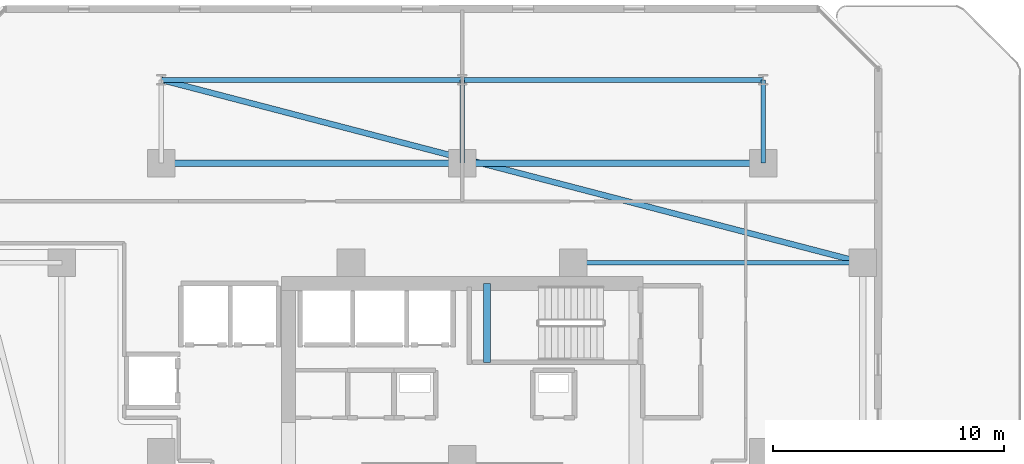
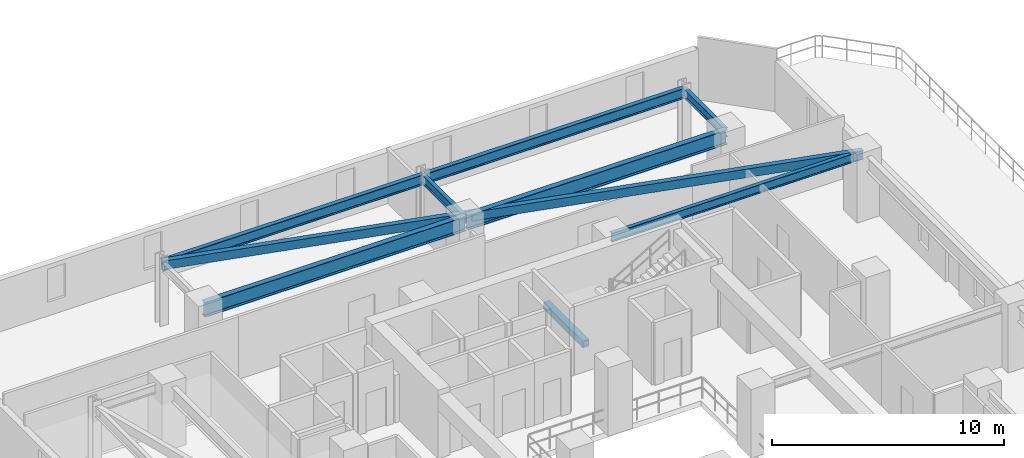
# One storey, part 9 of 33: 9 beams.
"""IFC4 building model written with IfcOpenShell, lengths in metres."""

from ifc_helpers import new_model, si_unit, direction, frame, origin, origin_2d, place, context, subcontext, project, spatial, rectangle, hollow_rectangle, i_section, extrude, material, material_profile, profile_set, type_object, element, save


model = new_model("IFC4")

# Units and contexts
model_context = context("Model", 3, precision=1e-05, world=origin(), true_north=direction((0.0, 1.0)))
body_context = subcontext(model_context, "Body", "Model", "MODEL_VIEW")
ifc_project = project(units=[si_unit("LENGTHUNIT", "METRE"), si_unit("AREAUNIT", "SQUARE_METRE"), si_unit("VOLUMEUNIT", "CUBIC_METRE"), si_unit("PLANEANGLEUNIT", "RADIAN"), si_unit("MASSUNIT", "GRAM", prefix="KILO")], contexts=[model_context])

# Site, building, storey
site_placement = place(None, origin())
site = spatial("IfcSite", under=ifc_project, at=site_placement, CompositionType="ELEMENT")
building_placement = place(site_placement, origin())
building = spatial("IfcBuilding", under=site, at=building_placement, Name="Thornwick Lancets Civic Towers", CompositionType="ELEMENT")
storey_placement = place(building_placement, frame((0.0, 0.0, 98.10009765625)))
storey = spatial("IfcBuildingStorey", under=building, at=storey_placement, Name="L25", CompositionType="ELEMENT", Elevation=98.10009765625)

# Beams
ifc_material_1 = material(Name="Steel S355JR", Category="steel")
ifc_material_profile_1 = material_profile(ifc_material_1, i_section(OverallWidth=0.2119140625, OverallDepth=0.54443359375, WebThickness=0.0126953125, FlangeThickness=0.021240234375, FilletRadius=0.0126953125, at=origin_2d()), Name="UKB 533x210x122")
ifc_profile_set_1 = profile_set([ifc_material_profile_1], Name="Steel S355JR")
beam_type_1 = type_object("IfcBeamType", Name="BM_EDGE_533_122", PredefinedType="SPANDREL", material=ifc_profile_set_1)
beam_1_placement = place(storey_placement, frame((12.5, 47.89990234375, 3.047607421875), z_axis=(1.0, 0.0, 0.0), x_axis=(0.0, 1.0, 0.0)))
element("IfcBeam", 1, at=beam_1_placement, inside=storey, type_object=beam_type_1, Name="BM-EDGE-L25-A-S2-1", PredefinedType="SPANDREL", context=body_context, shape_type="SweptSolid", body=[
    extrude(i_section(OverallWidth=0.2119140625, OverallDepth=0.54443359375, WebThickness=0.0126953125, FlangeThickness=0.021240234375, FilletRadius=0.0126953125, at=origin_2d()), origin(), (0.0, 0.0, 1.0), 13.0),
])
beam_2_placement = place(storey_placement, frame((25.580078125, 47.89990234375, 3.047607421875), z_axis=(1.0, 0.0, 0.0), x_axis=(0.0, 1.0, 0.0)))
element("IfcBeam", 2, at=beam_2_placement, inside=storey, type_object=beam_type_1, Name="BM-EDGE-L25-A-S2-2", PredefinedType="SPANDREL", context=body_context, shape_type="SweptSolid", body=[
    extrude(i_section(OverallWidth=0.2119140625, OverallDepth=0.54443359375, WebThickness=0.0126953125, FlangeThickness=0.021240234375, FilletRadius=0.0126953125, at=origin_2d()), origin(), (0.0, 0.0, 1.0), 12.919921875),
])
ifc_material_profile_2 = material_profile(ifc_material_1, i_section(OverallWidth=0.26806640625, OverallDepth=0.769775390625, WebThickness=0.015625, FlangeThickness=0.025390625, FilletRadius=0.0166015625, at=origin_2d()), Name="UKB 762x267x197")
ifc_profile_set_2 = profile_set([ifc_material_profile_2], Name="Steel S355JR")
beam_type_2 = type_object("IfcBeamType", Name="BM_GIRD_762_197", PredefinedType="BEAM", material=ifc_profile_set_2)
beam_3_placement = place(storey_placement, frame((12.5, 44.300048828125, 2.93505859375), z_axis=(1.0, 0.0, 0.0), x_axis=(0.0, 1.0, 0.0)))
element("IfcBeam", 3, at=beam_3_placement, inside=storey, type_object=beam_type_2, Name="BM-SPINE-L25-A-6-7", PredefinedType="BEAM", context=body_context, shape_type="SweptSolid", body=[
    extrude(i_section(OverallWidth=0.26806640625, OverallDepth=0.769775390625, WebThickness=0.015625, FlangeThickness=0.025390625, FilletRadius=0.0166015625, at=origin_2d()), origin(), (0.0, 0.0, 1.0), 13.0),
])
beam_4_placement = place(storey_placement, frame((25.580078125, 44.300048828125, 2.93505859375), z_axis=(1.0, 0.0, 0.0), x_axis=(0.0, 1.0, 0.0)))
element("IfcBeam", 4, at=beam_4_placement, inside=storey, type_object=beam_type_2, Name="BM-SPINE-L25-A-7-8", PredefinedType="BEAM", context=body_context, shape_type="SweptSolid", body=[
    extrude(i_section(OverallWidth=0.26806640625, OverallDepth=0.769775390625, WebThickness=0.015625, FlangeThickness=0.025390625, FilletRadius=0.0166015625, at=origin_2d()), origin(), (0.0, 0.0, 1.0), 12.919921875),
])
ifc_material_profile_3 = material_profile(ifc_material_1, i_section(OverallWidth=0.19287109375, OverallDepth=0.46728515625, WebThickness=0.011474609375, FlangeThickness=0.01953125, FilletRadius=0.01025390625, at=origin_2d()), Name="UKB 457x191x98")
ifc_profile_set_3 = profile_set([ifc_material_profile_3], Name="Steel S355JR")
beam_type_3 = type_object("IfcBeamType", Name="BM_JOIST_457_98", PredefinedType="JOIST", material=ifc_profile_set_3)
beam_5_placement = place(storey_placement, frame((30.300048828125, 40.0, 3.086181640625), z_axis=(1.0, 0.0, 0.0), x_axis=(0.0, 1.0, 0.0)))
element("IfcBeam", 5, at=beam_5_placement, inside=storey, type_object=beam_type_3, Name="BM-RADIN-L25-A06", PredefinedType="JOIST", context=body_context, shape_type="SweptSolid", body=[
    extrude(i_section(OverallWidth=0.19287109375, OverallDepth=0.46728515625, WebThickness=0.011474609375, FlangeThickness=0.01953125, FilletRadius=0.01025390625, at=origin_2d()), origin(), (0.0, 0.0, 1.0), 12.5),
])
for number, where, z_axis, x_axis, name in (
    (6, (25.5, 44.300048828125, 3.086181640625), (0.0, 1.0, 0.0), (-1.0, 0.0, 0.0), "BM-RAD-L25-A08"),
    (7, (38.5, 44.300048828125, 3.086181640625), (0.0, 1.0, 0.0), (-1.0, 0.0, 0.0), "BM-RAD-L25-A09"),
):
    element("IfcBeam", number, at=place(storey_placement, frame(where, z_axis=z_axis, x_axis=x_axis)), inside=storey, type_object=beam_type_3, Name=name, PredefinedType="JOIST", context=body_context, shape_type="SweptSolid", body=[
        extrude(i_section(OverallWidth=0.19287109375, OverallDepth=0.46728515625, WebThickness=0.011474609375, FlangeThickness=0.01953125, FilletRadius=0.01025390625, at=origin_2d()), origin(), (0.0, 0.0, 1.0), 3.599853515625),
    ])
ifc_material_profile_4 = material_profile(ifc_material_1, hollow_rectangle(XDim=0.25, YDim=0.449951171875, WallThickness=0.01611328125, at=origin_2d()), Name="RHS 450x250x16")
ifc_profile_set_4 = profile_set([ifc_material_profile_4], Name="Steel S355JR")
beam_type_4 = type_object("IfcBeamType", Name="BM_RING_RHS450", PredefinedType="BEAM", material=ifc_profile_set_4)
beam_6_placement = place(storey_placement, frame((42.800048828125, 40.0, 3.094970703125), z_axis=(-0.967652038286, 0.252288590311, 0.0), x_axis=(-0.252288590311, -0.967652038286, 0.0)))
element("IfcBeam", 8, at=beam_6_placement, inside=storey, type_object=beam_type_4, Name="BM-CHAMF-L25-A-C1", PredefinedType="BEAM", context=body_context, shape_type="SweptSolid", body=[
    extrude(hollow_rectangle(XDim=0.25, YDim=0.449951171875, WallThickness=0.01611328125, at=origin_2d()), origin(), (0.0, 0.0, 1.0), 31.31298828125),
])
ifc_material_2 = material(Name="Concrete C40/50", Category="concrete")
ifc_material_profile_5 = material_profile(ifc_material_2, rectangle(XDim=0.300048828125, YDim=0.35009765625, at=origin_2d()), Name="RC 300x350")
ifc_profile_set_5 = profile_set([ifc_material_profile_5], Name="Concrete C40/50")
beam_type_5 = type_object("IfcBeamType", Name="BM_STAIR_LDG", PredefinedType="BEAM", material=ifc_profile_set_5)
beam_7_placement = place(storey_placement, frame((26.56494140625, 39.10009765625, 1.3779296875), z_axis=(0.0, -1.0, 0.0), x_axis=(1.0, 0.0, 0.0)))
element("IfcBeam", 9, at=beam_7_placement, inside=storey, type_object=beam_type_5, Name="L25 ST-A2 Landing Support Beam 1", PredefinedType="BEAM", context=body_context, shape_type="SweptSolid", body=[
    extrude(rectangle(XDim=0.300048828125, YDim=0.35009765625, at=origin_2d()), origin(), (0.0, 0.0, 1.0), 3.400146484375),
])

save(model, "model.ifc")
